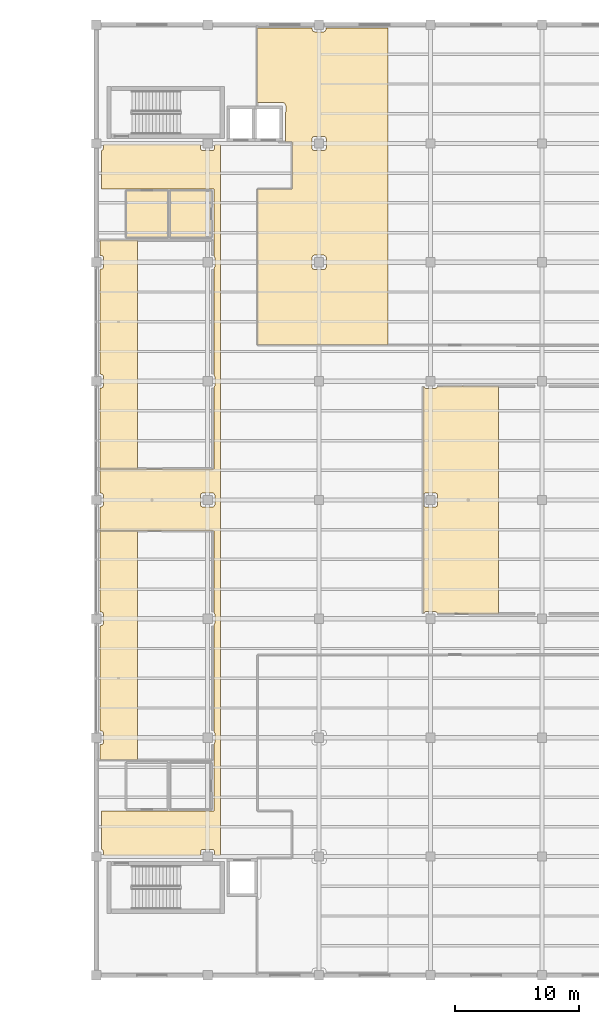
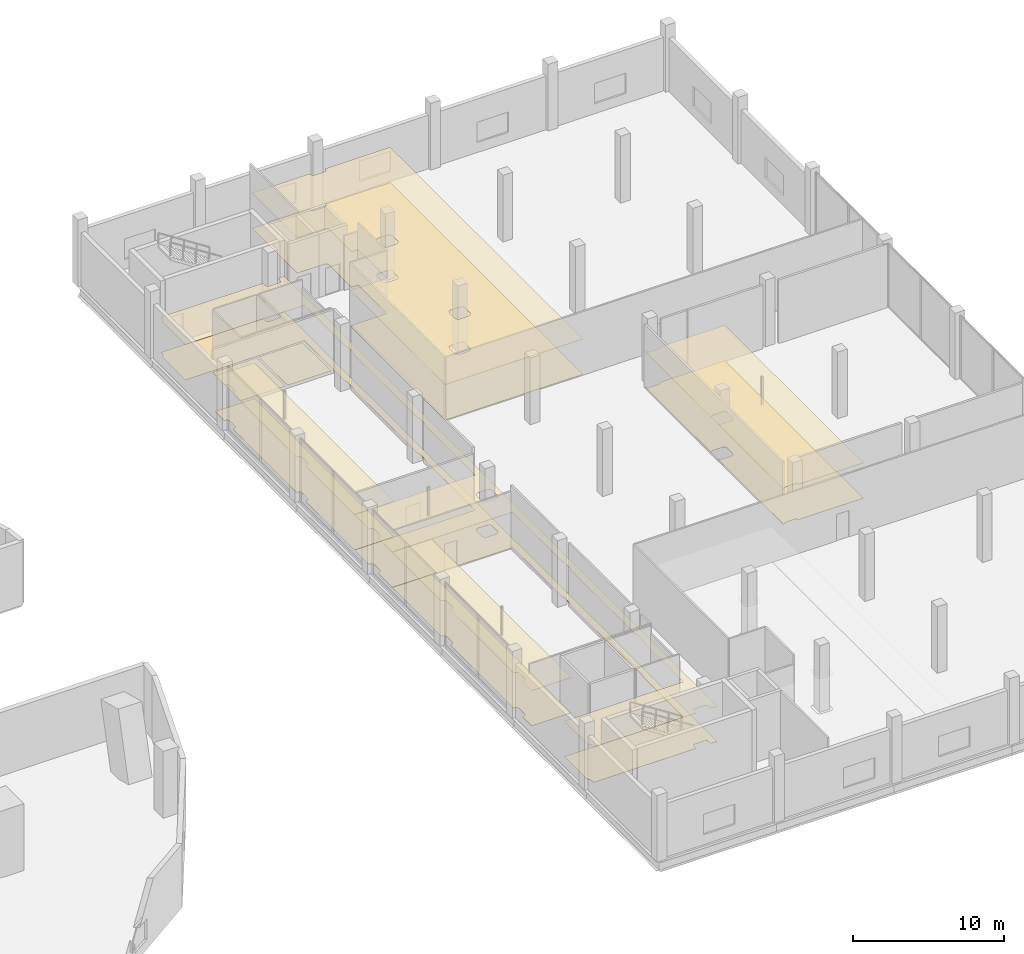
# One storey, part 46 of 47: 12 coverings.
"""IFC4 building model written with IfcOpenShell, lengths in metres."""

from ifc_helpers import new_model, si_unit, direction, frame, origin, place, context, subcontext, project, spatial, polyline, outline, extrude, material, layer, layer_set, type_object, element, save


model = new_model("IFC4")

# Units and contexts
model_context = context("Model", 3, precision=1e-05, world=origin(), true_north=direction((0.0, 1.0)))
body_context = subcontext(model_context, "Body", "Model", "MODEL_VIEW")
ifc_project = project(units=[si_unit("LENGTHUNIT", "METRE"), si_unit("AREAUNIT", "SQUARE_METRE"), si_unit("VOLUMEUNIT", "CUBIC_METRE"), si_unit("PLANEANGLEUNIT", "RADIAN"), si_unit("MASSUNIT", "GRAM", prefix="KILO")], contexts=[model_context])

# Site, building, storey
site_placement = place(None, origin())
site = spatial("IfcSite", under=ifc_project, at=site_placement, CompositionType="ELEMENT")
building_placement = place(site_placement, origin())
building = spatial("IfcBuilding", under=site, at=building_placement, Name="Qorvath Tower", CompositionType="ELEMENT")
storey_placement = place(building_placement, frame((0.0, 0.0, 6.60009765625)))
storey = spatial("IfcBuildingStorey", under=building, at=storey_placement, Name="L01", CompositionType="ELEMENT", Elevation=6.60009765625)

# Coverings
ifc_material_1 = material(Name="Acoustic mineral fibre ceiling tile", Category="gypsum")
ifc_layer_1 = layer(ifc_material_1, 0.030029296875)
ifc_layer_set_1 = layer_set([ifc_layer_1], Name="COV-CEIL")
covering_type_1 = type_object("IfcCoveringType", Name="COV-CEIL", PredefinedType="CEILING", material=ifc_layer_set_1)
covering_1_placement = place(storey_placement, frame((0.0, 0.0, 2.849853515625)))
element("IfcCovering", 1, at=covering_1_placement, inside=storey, type_object=covering_type_1, Name="L01 Suspended Acoustic Ceiling 005", PredefinedType="CEILING", context=body_context, shape_type="SweptSolid", body=[
    extrude(outline(polyline([(41.97998046875, -19.574951171875), (41.92138671875, -19.717529296875), (41.903564453125, -25.12353515625), (32.804931640625, -25.125), (32.804931640625, -28.23193359375), (32.921142578125, -28.28173828125), (32.979736328125, -28.423095703125), (32.97998046875, -28.71240234375), (40.820068359375, -28.699951171875), (40.881591796875, -28.279052734375), (41.02490234375, -28.219970703125), (41.77490234375, -28.219970703125), (41.921142578125, -28.28173828125), (41.97998046875, -28.699951171875), (42.455078125, -28.698486328125), (42.455078125, 28.708251953125), (41.97998046875, 28.7099609375), (41.921142578125, 28.28173828125), (41.77490234375, 28.219970703125), (41.02490234375, 28.219970703125), (40.881591796875, 28.279052734375), (40.820068359375, 28.425048828125), (40.820068359375, 28.7099609375), (32.97998046875, 28.722412109375), (32.979736328125, 28.423095703125), (32.921142578125, 28.28173828125), (32.804931640625, 28.23193359375), (32.804931640625, 25.125), (41.905029296875, 25.1201171875), (41.905029296875, 19.724365234375), (41.97998046875, 19.574951171875), (41.97998046875, 18.824951171875), (41.905029296875, 18.675537109375), (41.905029296875, 10.12451171875), (41.97998046875, 9.97509765625), (41.97998046875, 9.22509765625), (41.905029296875, 9.07568359375), (41.905029296875, 2.5), (32.68505859375, 2.4951171875), (32.68505859375, 0.578857421875), (32.917724609375, 0.521240234375), (32.979736328125, 0.376953125), (32.97998046875, -0.375), (32.917724609375, -0.521240234375), (32.68505859375, -0.578857421875), (32.68505859375, -2.4951171875), (41.903564453125, -2.49658203125), (41.905029296875, -9.07568359375), (41.97998046875, -9.22509765625), (41.97998046875, -9.97509765625), (41.905029296875, -10.12451171875), (41.905029296875, -18.675537109375), (41.97998046875, -18.824951171875), (41.97998046875, -19.574951171875)]), holes=[polyline([(40.87890625, -0.518310546875), (40.820068359375, -0.375), (40.820068359375, 0.375), (40.881591796875, 0.52099609375), (41.02490234375, 0.580078125), (41.77490234375, 0.580078125), (41.921142578125, 0.518310546875), (41.97998046875, 0.375), (41.97998046875, -0.375), (41.918212890625, -0.52099609375), (41.77490234375, -0.580078125), (41.02490234375, -0.580078125), (40.87890625, -0.518310546875)])]), origin(), (0.0, 0.0, 1.0), 0.030029296875),
])
covering_2_placement = place(storey_placement, frame((0.0, 0.0, 2.849853515625)))
element("IfcCovering", 2, at=covering_2_placement, inside=storey, type_object=covering_type_1, Name="L01 Suspended Acoustic Ceiling 006", PredefinedType="CEILING", context=body_context, shape_type="SweptSolid", body=[
    extrude(outline(polyline([(45.405029296875, 38.114990234375), (45.405029296875, 32.110107421875), (47.4599609375, 32.110107421875), (47.63671875, 32.036865234375), (47.7099609375, 31.860107421875), (47.69873046875, 28.9130859375), (48.212890625, 28.907958984375), (48.21142578125, 25.1083984375), (45.4130859375, 25.10693359375), (45.4130859375, 12.512939453125), (55.97509765625, 12.51025390625), (55.97509765625, 38.114990234375), (50.97900390625, 38.114990234375), (50.92138671875, 37.88232421875), (50.77685546875, 37.8203125), (50.02490234375, 37.820068359375), (49.878662109375, 37.88232421875), (49.821044921875, 38.114990234375), (45.405029296875, 38.114990234375)]), holes=[polyline([(50.77685546875, 29.379638671875), (50.921142578125, 29.318359375), (50.97998046875, 29.175048828125), (50.97998046875, 28.425048828125), (50.921142578125, 28.28173828125), (50.77490234375, 28.219970703125), (50.02490234375, 28.219970703125), (49.881591796875, 28.279052734375), (49.820068359375, 28.425048828125), (49.820068359375, 29.175048828125), (49.87890625, 29.318359375), (50.02490234375, 29.3798828125), (50.77685546875, 29.379638671875)]), polyline([(50.921142578125, 19.71826171875), (50.97998046875, 19.574951171875), (50.97998046875, 18.824951171875), (50.918212890625, 18.678955078125), (50.77490234375, 18.6201171875), (50.02490234375, 18.6201171875), (49.87890625, 18.681640625), (49.820068359375, 18.824951171875), (49.820068359375, 19.574951171875), (49.881591796875, 19.720947265625), (50.02490234375, 19.780029296875), (50.77490234375, 19.780029296875), (50.921142578125, 19.71826171875)])]), origin(), (0.0, 0.0, 1.0), 0.030029296875),
])
covering_3_placement = place(storey_placement, frame((0.0, 0.0, 2.849853515625)))
element("IfcCovering", 3, at=covering_3_placement, inside=storey, type_object=covering_type_1, Name="L01 Suspended Acoustic Ceiling 008", PredefinedType="CEILING", context=body_context, shape_type="SweptSolid", body=[
    extrude(outline(polyline([(59.77685546875, -9.020263671875), (59.918212890625, -9.078857421875), (59.964599609375, -9.18701171875), (64.908447265625, -9.192138671875), (64.908447265625, 9.195068359375), (62.008056640625, 9.195068359375), (59.964599609375, 9.18701171875), (59.918212890625, 9.078857421875), (59.77490234375, 9.02001953125), (59.02490234375, 9.02001953125), (58.804931640625, 9.18701171875), (58.804931640625, -9.18701171875), (59.02490234375, -9.02001953125), (59.77685546875, -9.020263671875)]), holes=[polyline([(59.921142578125, 0.518310546875), (59.97998046875, 0.375), (59.97998046875, -0.375), (59.918212890625, -0.52099609375), (59.77490234375, -0.580078125), (59.02490234375, -0.580078125), (58.87890625, -0.518310546875), (58.820068359375, -0.375), (58.820068359375, 0.375), (58.881591796875, 0.52099609375), (59.02490234375, 0.580078125), (59.77490234375, 0.580078125), (59.921142578125, 0.518310546875)])]), origin(), (0.0, 0.0, 1.0), 0.030029296875),
])
covering_4_placement = place(storey_placement, frame((0.0, 0.0, 2.849853515625)))
element("IfcCovering", 4, at=covering_4_placement, inside=storey, type_object=covering_type_1, Name="L01 Suspended Acoustic Ceiling 009", PredefinedType="CEILING", context=body_context, shape_type="SweptSolid", body=[
    extrude(outline(polyline([(32.979736328125, 9.22314453125), (32.917724609375, 9.07861328125), (32.68505859375, 9.02099609375), (32.68505859375, 2.512939453125), (35.7216796875, 2.512939453125), (35.7216796875, 20.9951171875), (32.68505859375, 20.9951171875), (32.68505859375, 19.77880859375), (32.917724609375, 19.72119140625), (32.979736328125, 19.576904296875), (32.97998046875, 18.824951171875), (32.917724609375, 18.6787109375), (32.68505859375, 18.62109375), (32.68505859375, 10.178955078125), (32.917724609375, 10.121337890625), (32.979736328125, 9.976806640625), (32.979736328125, 9.22314453125)])), origin(), (0.0, 0.0, 1.0), 0.030029296875),
])
covering_5_placement = place(storey_placement, frame((0.0, 0.0, 2.849853515625)))
element("IfcCovering", 5, at=covering_5_placement, inside=storey, type_object=covering_type_1, Name="L01 Suspended Acoustic Ceiling 010", PredefinedType="CEILING", context=body_context, shape_type="SweptSolid", body=[
    extrude(outline(polyline([(32.979736328125, -19.576904296875), (32.917724609375, -19.72119140625), (32.68505859375, -19.77880859375), (32.68505859375, -20.9951171875), (35.7216796875, -20.9951171875), (35.7216796875, -2.512939453125), (32.68505859375, -2.512939453125), (32.68505859375, -9.02099609375), (32.917724609375, -9.07861328125), (32.979736328125, -9.22314453125), (32.97998046875, -9.97509765625), (32.917724609375, -10.121337890625), (32.68505859375, -10.178955078125), (32.68505859375, -18.62109375), (32.917724609375, -18.6787109375), (32.979736328125, -18.822998046875), (32.979736328125, -19.576904296875)])), origin(), (0.0, 0.0, 1.0), 0.030029296875),
])
ifc_material_2 = material(Name="Low-VOC modular carpet tile", Category="textile")
ifc_layer_2 = layer(ifc_material_2, 0.014892578125)
ifc_layer_set_2 = layer_set([ifc_layer_2], Name="COV-FLOOR-CPT")
covering_type_2 = type_object("IfcCoveringType", Name="COV-FLOOR-CPT", PredefinedType="FLOORING", material=ifc_layer_set_2)
covering_6_placement = place(storey_placement, origin())
element("IfcCovering", 6, at=covering_6_placement, inside=storey, type_object=covering_type_2, Name="L01 Floor Finish 006", PredefinedType="FLOORING", context=body_context, shape_type="SweptSolid", body=[
    extrude(outline(polyline([(45.405029296875, 38.114990234375), (45.405029296875, 32.110107421875), (47.4599609375, 32.110107421875), (47.63671875, 32.036865234375), (47.7099609375, 31.860107421875), (47.69873046875, 28.9130859375), (48.212890625, 28.907958984375), (48.21142578125, 25.1083984375), (45.4130859375, 25.10693359375), (45.4130859375, 12.512939453125), (55.97509765625, 12.51025390625), (55.97509765625, 38.114990234375), (50.97900390625, 38.114990234375), (50.92138671875, 37.88232421875), (50.77685546875, 37.8203125), (50.02490234375, 37.820068359375), (49.878662109375, 37.88232421875), (49.821044921875, 38.114990234375), (45.405029296875, 38.114990234375)]), holes=[polyline([(50.77685546875, 29.379638671875), (50.921142578125, 29.318359375), (50.97998046875, 29.175048828125), (50.97998046875, 28.425048828125), (50.921142578125, 28.28173828125), (50.77490234375, 28.219970703125), (50.02490234375, 28.219970703125), (49.881591796875, 28.279052734375), (49.820068359375, 28.425048828125), (49.820068359375, 29.175048828125), (49.87890625, 29.318359375), (50.02490234375, 29.3798828125), (50.77685546875, 29.379638671875)]), polyline([(50.921142578125, 19.71826171875), (50.97998046875, 19.574951171875), (50.97998046875, 18.824951171875), (50.918212890625, 18.678955078125), (50.77490234375, 18.6201171875), (50.02490234375, 18.6201171875), (49.87890625, 18.681640625), (49.820068359375, 18.824951171875), (49.820068359375, 19.574951171875), (49.881591796875, 19.720947265625), (50.02490234375, 19.780029296875), (50.77490234375, 19.780029296875), (50.921142578125, 19.71826171875)])]), origin(), (0.0, 0.0, 1.0), 0.014892578125),
])
covering_7_placement = place(storey_placement, origin())
element("IfcCovering", 7, at=covering_7_placement, inside=storey, type_object=covering_type_2, Name="L01 Floor Finish 008", PredefinedType="FLOORING", context=body_context, shape_type="SweptSolid", body=[
    extrude(outline(polyline([(59.77685546875, -9.020263671875), (59.918212890625, -9.078857421875), (59.964599609375, -9.18701171875), (64.908447265625, -9.192138671875), (64.908447265625, 9.195068359375), (62.008056640625, 9.195068359375), (59.964599609375, 9.18701171875), (59.918212890625, 9.078857421875), (59.77490234375, 9.02001953125), (59.02490234375, 9.02001953125), (58.804931640625, 9.18701171875), (58.804931640625, -9.18701171875), (59.02490234375, -9.02001953125), (59.77685546875, -9.020263671875)]), holes=[polyline([(59.921142578125, 0.518310546875), (59.97998046875, 0.375), (59.97998046875, -0.375), (59.918212890625, -0.52099609375), (59.77490234375, -0.580078125), (59.02490234375, -0.580078125), (58.87890625, -0.518310546875), (58.820068359375, -0.375), (58.820068359375, 0.375), (58.881591796875, 0.52099609375), (59.02490234375, 0.580078125), (59.77490234375, 0.580078125), (59.921142578125, 0.518310546875)])]), origin(), (0.0, 0.0, 1.0), 0.014892578125),
])
covering_8_placement = place(storey_placement, origin())
element("IfcCovering", 8, at=covering_8_placement, inside=storey, type_object=covering_type_2, Name="L01 Floor Finish 009", PredefinedType="FLOORING", context=body_context, shape_type="SweptSolid", body=[
    extrude(outline(polyline([(32.979736328125, 9.22314453125), (32.917724609375, 9.07861328125), (32.68505859375, 9.02099609375), (32.68505859375, 2.512939453125), (35.7216796875, 2.512939453125), (35.7216796875, 20.9951171875), (32.68505859375, 20.9951171875), (32.68505859375, 19.77880859375), (32.917724609375, 19.72119140625), (32.979736328125, 19.576904296875), (32.97998046875, 18.824951171875), (32.917724609375, 18.6787109375), (32.68505859375, 18.62109375), (32.68505859375, 10.178955078125), (32.917724609375, 10.121337890625), (32.979736328125, 9.976806640625), (32.979736328125, 9.22314453125)])), origin(), (0.0, 0.0, 1.0), 0.014892578125),
])
covering_9_placement = place(storey_placement, origin())
element("IfcCovering", 9, at=covering_9_placement, inside=storey, type_object=covering_type_2, Name="L01 Floor Finish 010", PredefinedType="FLOORING", context=body_context, shape_type="SweptSolid", body=[
    extrude(outline(polyline([(32.979736328125, -19.576904296875), (32.917724609375, -19.72119140625), (32.68505859375, -19.77880859375), (32.68505859375, -20.9951171875), (35.7216796875, -20.9951171875), (35.7216796875, -2.512939453125), (32.68505859375, -2.512939453125), (32.68505859375, -9.02099609375), (32.917724609375, -9.07861328125), (32.979736328125, -9.22314453125), (32.97998046875, -9.97509765625), (32.917724609375, -10.121337890625), (32.68505859375, -10.178955078125), (32.68505859375, -18.62109375), (32.917724609375, -18.6787109375), (32.979736328125, -18.822998046875), (32.979736328125, -19.576904296875)])), origin(), (0.0, 0.0, 1.0), 0.014892578125),
])
ifc_material_3 = material(Name="Polished epoxy terrazzo flooring", Category="concrete")
ifc_layer_3 = layer(ifc_material_3, 0.02001953125)
ifc_layer_set_3 = layer_set([ifc_layer_3], Name="COV-FLOOR-TRZ")
covering_type_3 = type_object("IfcCoveringType", Name="COV-FLOOR-TRZ", PredefinedType="FLOORING", material=ifc_layer_set_3)
covering_10_placement = place(storey_placement, origin())
element("IfcCovering", 10, at=covering_10_placement, inside=storey, type_object=covering_type_3, Name="L01 Floor Finish 001", PredefinedType="FLOORING", context=body_context, shape_type="SweptSolid", body=[
    extrude(outline(polyline([(38.195068359375, 24.9951171875), (34.804931640625, 24.9951171875), (34.804931640625, 21.205078125), (38.195068359375, 21.205078125), (38.195068359375, 24.9951171875)])), origin(), (0.0, 0.0, 1.0), 0.014892578125),
])
covering_11_placement = place(storey_placement, origin())
element("IfcCovering", 11, at=covering_11_placement, inside=storey, type_object=covering_type_3, Name="L01 Floor Finish 002", PredefinedType="FLOORING", context=body_context, shape_type="SweptSolid", body=[
    extrude(outline(polyline([(41.695068359375, 24.9951171875), (38.35498046875, 24.9951171875), (38.35498046875, 21.205078125), (41.695068359375, 21.205078125), (41.695068359375, 24.9951171875)])), origin(), (0.0, 0.0, 1.0), 0.014892578125),
])
covering_12_placement = place(storey_placement, origin())
element("IfcCovering", 12, at=covering_12_placement, inside=storey, type_object=covering_type_3, Name="L01 Floor Finish 005", PredefinedType="FLOORING", context=body_context, shape_type="SweptSolid", body=[
    extrude(outline(polyline([(41.97998046875, -19.574951171875), (41.92138671875, -19.717529296875), (41.903564453125, -25.12353515625), (32.804931640625, -25.125), (32.804931640625, -28.23193359375), (32.921142578125, -28.28173828125), (32.979736328125, -28.423095703125), (32.97998046875, -28.71240234375), (40.820068359375, -28.699951171875), (40.881591796875, -28.279052734375), (41.02490234375, -28.219970703125), (41.77490234375, -28.219970703125), (41.921142578125, -28.28173828125), (41.97998046875, -28.699951171875), (42.455078125, -28.698486328125), (42.455078125, 28.708251953125), (41.97998046875, 28.7099609375), (41.921142578125, 28.28173828125), (41.77490234375, 28.219970703125), (41.02490234375, 28.219970703125), (40.881591796875, 28.279052734375), (40.820068359375, 28.425048828125), (40.820068359375, 28.7099609375), (32.97998046875, 28.722412109375), (32.979736328125, 28.423095703125), (32.921142578125, 28.28173828125), (32.804931640625, 28.23193359375), (32.804931640625, 25.125), (41.905029296875, 25.1201171875), (41.905029296875, 19.724365234375), (41.97998046875, 19.574951171875), (41.97998046875, 18.824951171875), (41.905029296875, 18.675537109375), (41.905029296875, 10.12451171875), (41.97998046875, 9.97509765625), (41.97998046875, 9.22509765625), (41.905029296875, 9.07568359375), (41.905029296875, 2.5), (32.68505859375, 2.4951171875), (32.68505859375, 0.578857421875), (32.917724609375, 0.521240234375), (32.979736328125, 0.376953125), (32.97998046875, -0.375), (32.917724609375, -0.521240234375), (32.68505859375, -0.578857421875), (32.68505859375, -2.4951171875), (41.903564453125, -2.49658203125), (41.905029296875, -9.07568359375), (41.97998046875, -9.22509765625), (41.97998046875, -9.97509765625), (41.905029296875, -10.12451171875), (41.905029296875, -18.675537109375), (41.97998046875, -18.824951171875), (41.97998046875, -19.574951171875)]), holes=[polyline([(40.87890625, -0.518310546875), (40.820068359375, -0.375), (40.820068359375, 0.375), (40.881591796875, 0.52099609375), (41.02490234375, 0.580078125), (41.77490234375, 0.580078125), (41.921142578125, 0.518310546875), (41.97998046875, 0.375), (41.97998046875, -0.375), (41.918212890625, -0.52099609375), (41.77490234375, -0.580078125), (41.02490234375, -0.580078125), (40.87890625, -0.518310546875)])]), origin(), (0.0, 0.0, 1.0), 0.014892578125),
])

save(model, "model.ifc")
